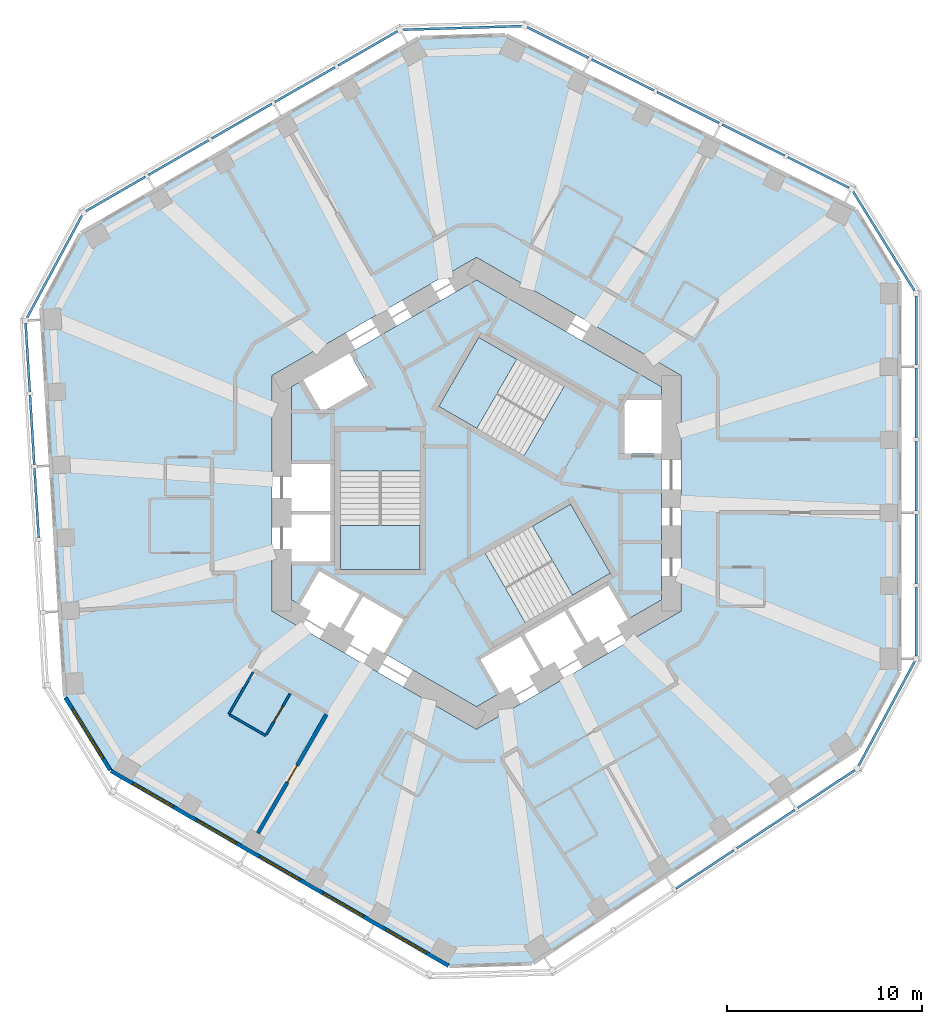
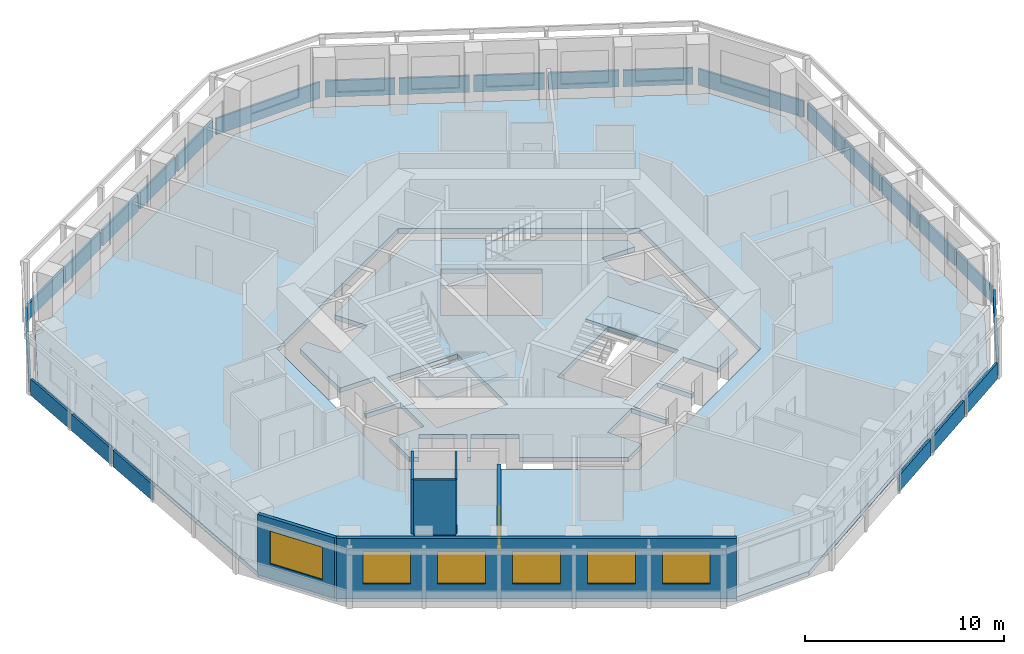
# One storey, part 3 of 11: 25 plates, 6 walls, 6 windows, 5 slabs, 2 doors, 8 openings, 12 elements without a shape of their own.
"""IFC4 building model written with IfcOpenShell, lengths in metres."""

from ifc_helpers import new_model, si_unit, direction, frame, frame_2d, origin, origin_2d, place, context, subcontext, project, spatial, polyline, rectangle, outline, extrude, material, layer, layer_set, type_object, element, fill, aggregate, save


model = new_model("IFC4")

# Units and contexts
model_context = context("Model", 3, precision=1e-05, world=origin(), true_north=direction((0.0, 1.0)))
body_context = subcontext(model_context, "Body", "Model", "MODEL_VIEW")
ifc_project = project(units=[si_unit("LENGTHUNIT", "METRE"), si_unit("AREAUNIT", "SQUARE_METRE"), si_unit("VOLUMEUNIT", "CUBIC_METRE"), si_unit("PLANEANGLEUNIT", "RADIAN"), si_unit("MASSUNIT", "GRAM", prefix="KILO")], contexts=[model_context])

# Site, building, storey
site_placement = place(None, origin())
site = spatial("IfcSite", under=ifc_project, at=site_placement, CompositionType="ELEMENT")
building_placement = place(site_placement, origin())
building = spatial("IfcBuilding", under=site, at=building_placement, Name="Vanh Sen Convention Tower", CompositionType="ELEMENT")
storey_placement = place(building_placement, frame((0.0, 0.0, 202.10009765625)))
storey = spatial("IfcBuildingStorey", under=building, at=storey_placement, Name="L50", CompositionType="ELEMENT", Elevation=202.10009765625)

# Slabs
ifc_material_1 = material(Name="Concrete C40/50", Category="concrete")
ifc_layer_1 = layer(ifc_material_1, 0.280029296875)
ifc_layer_set_1 = layer_set([ifc_layer_1], Name="Concrete C40/50")
slab_type_1 = type_object("IfcSlabType", Name="Core slab 280", PredefinedType="FLOOR", material=ifc_layer_set_1)
slab_1_placement = place(storey_placement, frame((0.0, 0.0, -0.280029296875)))
element("IfcSlab", 1, at=slab_1_placement, inside=storey, type_object=slab_type_1, Name="Core slab L50", PredefinedType="FLOOR", context=body_context, shape_type="SweptSolid", body=[
    extrude(outline(polyline([(0.0, 10.9697265625), (9.5, 5.48486328125), (9.5, 4.800048828125), (7.60009765625, 4.800048828125), (7.60009765625, 2.050048828125), (9.5, 2.050048828125), (9.5, -5.48486328125), (7.781005859375, -6.477294921875), (6.781005859375, -4.7451171875), (4.70263671875, -5.9453125), (5.70263671875, -7.67724609375), (5.529296875, -7.777099609375), (4.529296875, -6.045166015625), (2.450927734375, -7.2451171875), (3.450927734375, -8.977294921875), (3.27783203125, -9.0771484375), (2.27783203125, -7.34521484375), (0.19921875, -8.545166015625), (1.19921875, -10.277099609375), (0.0, -10.9697265625), (-4.75, -8.227294921875), (-3.75, -6.4951171875), (-5.82861328125, -5.295166015625), (-6.82861328125, -7.027099609375), (-7.001708984375, -6.92724609375), (-6.001708984375, -5.1953125), (-8.080078125, -3.9951171875), (-9.080078125, -5.727294921875), (-9.5, -5.48486328125), (-9.5, -3.5), (-7.5, -3.5), (-7.5, -1.10009765625), (-9.5, -1.10009765625), (-9.5, -0.89990234375), (-7.5, -0.89990234375), (-7.5, 1.5), (-9.5, 1.5), (-9.5, 5.48486328125), (-8.906982421875, 5.8271484375), (-7.956787109375, 4.181884765625), (-5.575439453125, 5.556884765625), (-6.525390625, 7.2021484375), (0.0, 10.9697265625)]), holes=[polyline([(-7.0, 1.1494140625), (-7.0, -3.909912109375), (-2.89990234375, -3.909912109375), (-2.89990234375, 1.1494140625), (-7.0, 1.1494140625)]), polyline([(2.504638671875, -6.63671875), (6.88623046875, -4.107177734375), (4.836181640625, -0.556396484375), (0.45458984375, -3.086181640625), (2.504638671875, -6.63671875)]), polyline([(0.11376953125, 8.01708984375), (-1.936279296875, 4.466552734375), (2.4453125, 1.936767578125), (4.495361328125, 5.487548828125), (0.11376953125, 8.01708984375)])]), origin(), (0.0, 0.0, 1.0), 0.280029296875),
])
ifc_layer_2 = layer(ifc_material_1, 0.280029296875)
ifc_layer_set_2 = layer_set([ifc_layer_2], Name="Concrete C40/50")
slab_type_2 = type_object("IfcSlabType", Name="Floor slab 280 REI 120", PredefinedType="FLOOR", material=ifc_layer_set_2)
slab_2_placement = place(storey_placement, frame((0.0, 0.0, -0.280029296875)))
element("IfcSlab", 2, at=slab_2_placement, inside=storey, type_object=slab_type_2, Name="Floor slab L50 tower", PredefinedType="FLOOR", context=body_context, shape_type="SweptSolid", body=[
    extrude(outline(polyline([(21.699951171875, -9.15087890625), (21.699951171875, 10.91943359375), (19.454833984375, 14.5478515625), (1.492919921875, 23.503173828125), (-2.925048828125, 23.368408203125), (-20.306640625, 13.3330078125), (-22.326171875, 9.574462890625), (-21.100830078125, -10.458740234375), (-18.77490234375, -14.21728515625), (-1.393310546875, -24.25244140625), (2.871337890625, -24.122314453125), (19.60791015625, -13.04443359375), (21.699951171875, -9.15087890625)]), holes=[polyline([(0.0, 12.12451171875), (-10.5, 6.062255859375), (-10.5, -6.062255859375), (0.0, -12.12451171875), (10.5, -6.062255859375), (10.5, 6.062255859375), (0.0, 12.12451171875)])]), origin(), (0.0, 0.0, 1.0), 0.280029296875),
])

# Curtain wall, plates
ifc_material_2 = material(Name="Concrete C50/60", Category="concrete")
curtain_wall_type = type_object("IfcCurtainWallType", Name="Outer skin office zone", PredefinedType="NOTDEFINED", material=ifc_material_2)
curtain_wall_1_placement = place(storey_placement, origin())
curtain_wall_1 = element("IfcCurtainWall", 3, at=curtain_wall_1_placement, inside=storey, type_object=curtain_wall_type, Name="OUTER SKIN E L50", PredefinedType="NOTDEFINED")
ifc_layer_3 = layer(ifc_material_2, 0.1201171875)
ifc_layer_set_3 = layer_set([ifc_layer_3], Name="Concrete C50/60")
plate_type = type_object("IfcPlateType", Name="Outer skin precast screen panel 120", PredefinedType="CURTAIN_PANEL", material=ifc_layer_set_3)
plate_1_placement = place(storey_placement, frame((22.60009765625, -6.59912109375, 0.0), z_axis=(0.0, 0.0, 1.0), x_axis=(0.0, 1.0, 0.0)))
plate_1 = element("IfcPlate", 4, at=plate_1_placement, type_object=plate_type, Name="OUTER SKIN screen panel E-1", PredefinedType="CURTAIN_PANEL", context=body_context, shape_type="SweptSolid", body=[
    extrude(rectangle(XDim=3.504150390625, YDim=0.1201171875, at=origin_2d()), origin(), (0.0, 0.0, 1.0), 1.0),
])
plate_2_placement = place(storey_placement, frame((22.60009765625, -2.869873046875, 0.0), z_axis=(0.0, 0.0, 1.0), x_axis=(0.0, 1.0, 0.0)))
plate_2 = element("IfcPlate", 5, at=plate_2_placement, type_object=plate_type, Name="OUTER SKIN screen panel E-2", PredefinedType="CURTAIN_PANEL", context=body_context, shape_type="SweptSolid", body=[
    extrude(rectangle(XDim=3.55419921875, YDim=0.1201171875, at=origin_2d()), origin(), (0.0, 0.0, 1.0), 1.0),
])
plate_3_placement = place(storey_placement, frame((22.60009765625, 0.88427734375, 0.0), z_axis=(0.0, 0.0, 1.0), x_axis=(0.0, 1.0, 0.0)))
plate_3 = element("IfcPlate", 6, at=plate_3_placement, type_object=plate_type, Name="OUTER SKIN screen panel E-3", PredefinedType="CURTAIN_PANEL", context=body_context, shape_type="SweptSolid", body=[
    extrude(rectangle(XDim=3.55419921875, YDim=0.1201171875, at=origin_2d()), origin(), (0.0, 0.0, 1.0), 1.0),
])
plate_4_placement = place(storey_placement, frame((22.60009765625, 4.63818359375, 0.0), z_axis=(0.0, 0.0, 1.0), x_axis=(0.0, 1.0, 0.0)))
plate_4 = element("IfcPlate", 7, at=plate_4_placement, type_object=plate_type, Name="OUTER SKIN screen panel E-4", PredefinedType="CURTAIN_PANEL", context=body_context, shape_type="SweptSolid", body=[
    extrude(rectangle(XDim=3.55419921875, YDim=0.1201171875, at=origin_2d()), origin(), (0.0, 0.0, 1.0), 1.0),
])
plate_5_placement = place(storey_placement, frame((22.60009765625, 8.367431640625, 0.0), z_axis=(0.0, 0.0, 1.0), x_axis=(0.0, 1.0, 0.0)))
plate_5 = element("IfcPlate", 8, at=plate_5_placement, type_object=plate_type, Name="OUTER SKIN screen panel E-5", PredefinedType="CURTAIN_PANEL", context=body_context, shape_type="SweptSolid", body=[
    extrude(rectangle(XDim=3.504150390625, YDim=0.1201171875, at=origin_2d()), origin(), (0.0, 0.0, 1.0), 1.0),
])
aggregate(curtain_wall_1, [plate_1, plate_2, plate_3, plate_4, plate_5])

# Curtain wall, plate
curtain_wall_2_placement = place(storey_placement, origin())
curtain_wall_2 = element("IfcCurtainWall", 9, at=curtain_wall_2_placement, inside=storey, type_object=curtain_wall_type, Name="OUTER SKIN CH1 L50", PredefinedType="NOTDEFINED")
plate_6_placement = place(storey_placement, frame((20.937255859375, 12.956298828125, 0.0), z_axis=(0.0, 0.0, 1.0), x_axis=(-0.5262035346, 0.850358653848, 0.0)))
plate_6 = element("IfcPlate", 10, at=plate_6_placement, type_object=plate_type, Name="OUTER SKIN screen panel CH1-1", PredefinedType="CURTAIN_PANEL", context=body_context, shape_type="SweptSolid", body=[
    extrude(rectangle(XDim=6.01953125, YDim=0.1201171875, at=origin_2d()), origin(), (0.0, 0.0, 1.0), 1.0),
])
aggregate(curtain_wall_2, [plate_6])

# Curtain wall, plates
curtain_wall_3_placement = place(storey_placement, origin())
curtain_wall_3 = element("IfcCurtainWall", 11, at=curtain_wall_3_placement, inside=storey, type_object=curtain_wall_type, Name="OUTER SKIN NE L50", PredefinedType="NOTDEFINED")
plate_7_placement = place(storey_placement, frame((17.572509765625, 16.491943359375, 0.0), z_axis=(0.0, 0.0, 1.0), x_axis=(-0.894943706551, 0.446179069551, 0.0)))
plate_7 = element("IfcPlate", 12, at=plate_7_placement, type_object=plate_type, Name="OUTER SKIN screen panel NE-1", PredefinedType="CURTAIN_PANEL", context=body_context, shape_type="SweptSolid", body=[
    extrude(rectangle(XDim=3.504150390625, YDim=0.1201171875, at=origin_2d()), origin(), (0.0, 0.0, 1.0), 1.0),
])
plate_8_placement = place(storey_placement, frame((14.235107421875, 18.156005859375, 0.0), z_axis=(0.0, 0.0, 1.0), x_axis=(-0.894932804072, 0.446200937017, 0.0)))
plate_8 = element("IfcPlate", 13, at=plate_8_placement, type_object=plate_type, Name="OUTER SKIN screen panel NE-2", PredefinedType="CURTAIN_PANEL", context=body_context, shape_type="SweptSolid", body=[
    extrude(rectangle(XDim=3.55419921875, YDim=0.1201171875, at=origin_2d()), origin(), (0.0, 0.0, 1.0), 1.0),
])
plate_9_placement = place(storey_placement, frame((10.87548828125, 19.8310546875, 0.0), z_axis=(0.0, 0.0, 1.0), x_axis=(-0.894932804072, 0.446200937017, 0.0)))
plate_9 = element("IfcPlate", 14, at=plate_9_placement, type_object=plate_type, Name="OUTER SKIN screen panel NE-3", PredefinedType="CURTAIN_PANEL", context=body_context, shape_type="SweptSolid", body=[
    extrude(rectangle(XDim=3.55419921875, YDim=0.1201171875, at=origin_2d()), origin(), (0.0, 0.0, 1.0), 1.0),
])
plate_10_placement = place(storey_placement, frame((7.515625, 21.506103515625, 0.0), z_axis=(0.0, 0.0, 1.0), x_axis=(-0.894932804072, 0.446200937017, 0.0)))
plate_10 = element("IfcPlate", 15, at=plate_10_placement, type_object=plate_type, Name="OUTER SKIN screen panel NE-4", PredefinedType="CURTAIN_PANEL", context=body_context, shape_type="SweptSolid", body=[
    extrude(rectangle(XDim=3.55419921875, YDim=0.1201171875, at=origin_2d()), origin(), (0.0, 0.0, 1.0), 1.0),
])
plate_11_placement = place(storey_placement, frame((4.178466796875, 23.169921875, 0.0), z_axis=(0.0, 0.0, 1.0), x_axis=(-0.894943706551, 0.446179069551, 0.0)))
plate_11 = element("IfcPlate", 16, at=plate_11_placement, type_object=plate_type, Name="OUTER SKIN screen panel NE-5", PredefinedType="CURTAIN_PANEL", context=body_context, shape_type="SweptSolid", body=[
    extrude(rectangle(XDim=3.504150390625, YDim=0.1201171875, at=origin_2d()), origin(), (0.0, 0.0, 1.0), 1.0),
])
aggregate(curtain_wall_3, [plate_7, plate_8, plate_9, plate_10, plate_11])

# Curtain wall, plate
curtain_wall_4_placement = place(storey_placement, origin())
curtain_wall_4 = element("IfcCurtainWall", 17, at=curtain_wall_4_placement, inside=storey, type_object=curtain_wall_type, Name="OUTER SKIN CH2 L50", PredefinedType="NOTDEFINED")
plate_12_placement = place(storey_placement, frame((-0.73095703125, 23.920654296875, 0.0), z_axis=(0.0, 0.0, 1.0), x_axis=(-0.999533590837, -0.03053851321, 0.0)))
plate_12 = element("IfcPlate", 18, at=plate_12_placement, type_object=plate_type, Name="OUTER SKIN screen panel CH2-1", PredefinedType="CURTAIN_PANEL", context=body_context, shape_type="SweptSolid", body=[
    extrude(rectangle(XDim=6.1171875, YDim=0.1201171875, at=origin_2d()), origin(), (0.0, 0.0, 1.0), 1.0),
])
aggregate(curtain_wall_4, [plate_12])

# Curtain wall, plates
curtain_wall_5_placement = place(storey_placement, origin())
curtain_wall_5 = element("IfcCurtainWall", 19, at=curtain_wall_5_placement, inside=storey, type_object=curtain_wall_type, Name="OUTER SKIN NW L50", PredefinedType="NOTDEFINED")
plate_13_placement = place(storey_placement, frame((-5.585205078125, 22.87158203125, 0.0), z_axis=(0.0, 0.0, 1.0), x_axis=(-0.866035002936, -0.499983373414, 0.0)))
plate_13 = element("IfcPlate", 20, at=plate_13_placement, type_object=plate_type, Name="OUTER SKIN screen panel NW-1", PredefinedType="CURTAIN_PANEL", context=body_context, shape_type="SweptSolid", body=[
    extrude(rectangle(XDim=3.504150390625, YDim=0.1201171875, at=origin_2d()), origin(), (0.0, 0.0, 1.0), 1.0),
])
plate_14_placement = place(storey_placement, frame((-8.814697265625, 21.007080078125, 0.0), z_axis=(0.0, 0.0, 1.0), x_axis=(-0.866016677006, -0.500015114919, 0.0)))
plate_14 = element("IfcPlate", 21, at=plate_14_placement, type_object=plate_type, Name="OUTER SKIN screen panel NW-2", PredefinedType="CURTAIN_PANEL", context=body_context, shape_type="SweptSolid", body=[
    extrude(rectangle(XDim=3.55419921875, YDim=0.1201171875, at=origin_2d()), origin(), (0.0, 0.0, 1.0), 1.0),
])
plate_15_placement = place(storey_placement, frame((-12.06591796875, 19.1298828125, 0.0), z_axis=(0.0, 0.0, 1.0), x_axis=(-0.866035002936, -0.499983373414, 0.0)))
plate_15 = element("IfcPlate", 22, at=plate_15_placement, type_object=plate_type, Name="OUTER SKIN screen panel NW-3", PredefinedType="CURTAIN_PANEL", context=body_context, shape_type="SweptSolid", body=[
    extrude(rectangle(XDim=3.55419921875, YDim=0.1201171875, at=origin_2d()), origin(), (0.0, 0.0, 1.0), 1.0),
])
plate_16_placement = place(storey_placement, frame((-15.31689453125, 17.2529296875, 0.0), z_axis=(0.0, 0.0, 1.0), x_axis=(-0.866016677006, -0.500015114919, 0.0)))
plate_16 = element("IfcPlate", 23, at=plate_16_placement, type_object=plate_type, Name="OUTER SKIN screen panel NW-4", PredefinedType="CURTAIN_PANEL", context=body_context, shape_type="SweptSolid", body=[
    extrude(rectangle(XDim=3.55419921875, YDim=0.1201171875, at=origin_2d()), origin(), (0.0, 0.0, 1.0), 1.0),
])
plate_17_placement = place(storey_placement, frame((-18.54638671875, 15.388427734375, 0.0), z_axis=(0.0, 0.0, 1.0), x_axis=(-0.866035002936, -0.499983373414, 0.0)))
plate_17 = element("IfcPlate", 24, at=plate_17_placement, type_object=plate_type, Name="OUTER SKIN screen panel NW-5", PredefinedType="CURTAIN_PANEL", context=body_context, shape_type="SweptSolid", body=[
    extrude(rectangle(XDim=3.504150390625, YDim=0.1201171875, at=origin_2d()), origin(), (0.0, 0.0, 1.0), 1.0),
])
aggregate(curtain_wall_5, [plate_13, plate_14, plate_15, plate_16, plate_17])

# Curtain wall, plate
curtain_wall_6_placement = place(storey_placement, origin())
curtain_wall_6 = element("IfcCurtainWall", 25, at=curtain_wall_6_placement, inside=storey, type_object=curtain_wall_type, Name="OUTER SKIN CH3 L50", PredefinedType="NOTDEFINED")
plate_18_placement = place(storey_placement, frame((-21.689208984375, 11.654052734375, 0.0), z_axis=(0.0, 0.0, 1.0), x_axis=(-0.47331812974, -0.880891564303, 0.0)))
plate_18 = element("IfcPlate", 26, at=plate_18_placement, type_object=plate_type, Name="OUTER SKIN screen panel CH3-1", PredefinedType="CURTAIN_PANEL", context=body_context, shape_type="SweptSolid", body=[
    extrude(rectangle(XDim=6.019287109375, YDim=0.1201171875, at=origin_2d()), origin(), (0.0, 0.0, 1.0), 1.0),
])
aggregate(curtain_wall_6, [plate_18])

# Curtain wall, plates
curtain_wall_7_placement = place(storey_placement, origin())
curtain_wall_7 = element("IfcCurtainWall", 27, at=curtain_wall_7_placement, inside=storey, type_object=curtain_wall_type, Name="OUTER SKIN W L50", PredefinedType="NOTDEFINED")
plate_19_placement = place(storey_placement, frame((-23.068603515625, 6.97216796875, 0.0), z_axis=(0.0, 0.0, 1.0), x_axis=(0.061053765756, -0.998134478759, 0.0)))
plate_19 = element("IfcPlate", 28, at=plate_19_placement, type_object=plate_type, Name="OUTER SKIN screen panel W-1", PredefinedType="CURTAIN_PANEL", context=body_context, shape_type="SweptSolid", body=[
    extrude(rectangle(XDim=3.504150390625, YDim=0.1201171875, at=origin_2d()), origin(), (0.0, 0.0, 1.0), 1.0),
])
plate_20_placement = place(storey_placement, frame((-22.841064453125, 3.25, 0.0), z_axis=(0.0, 0.0, 1.0), x_axis=(0.061052023682, -0.998134585316, 0.0)))
plate_20 = element("IfcPlate", 29, at=plate_20_placement, type_object=plate_type, Name="OUTER SKIN screen panel W-2", PredefinedType="CURTAIN_PANEL", context=body_context, shape_type="SweptSolid", body=[
    extrude(rectangle(XDim=3.55419921875, YDim=0.1201171875, at=origin_2d()), origin(), (0.0, 0.0, 1.0), 1.0),
])
plate_21_placement = place(storey_placement, frame((-22.61181640625, -0.4970703125, 0.0), z_axis=(0.0, 0.0, 1.0), x_axis=(0.061053765756, -0.998134478759, 0.0)))
plate_21 = element("IfcPlate", 30, at=plate_21_placement, type_object=plate_type, Name="OUTER SKIN screen panel W-3", PredefinedType="CURTAIN_PANEL", context=body_context, shape_type="SweptSolid", body=[
    extrude(rectangle(XDim=3.55419921875, YDim=0.1201171875, at=origin_2d()), origin(), (0.0, 0.0, 1.0), 1.0),
])
aggregate(curtain_wall_7, [plate_19, plate_20, plate_21])

curtain_wall_8_placement = place(storey_placement, origin())
curtain_wall_8 = element("IfcCurtainWall", 31, at=curtain_wall_8_placement, inside=storey, type_object=curtain_wall_type, Name="OUTER SKIN SE L50", PredefinedType="NOTDEFINED")
plate_22_placement = place(storey_placement, frame((11.736328125, -19.333984375, 0.0), z_axis=(0.0, 0.0, 1.0), x_axis=(0.833877152158, 0.551950083892, 0.0)))
plate_22 = element("IfcPlate", 32, at=plate_22_placement, type_object=plate_type, Name="OUTER SKIN screen panel SE-3", PredefinedType="CURTAIN_PANEL", context=body_context, shape_type="SweptSolid", body=[
    extrude(rectangle(XDim=3.55419921875, YDim=0.1201171875, at=origin_2d()), origin(), (0.0, 0.0, 1.0), 1.0),
])
plate_23_placement = place(storey_placement, frame((14.866943359375, -17.26171875, 0.0), z_axis=(0.0, 0.0, 1.0), x_axis=(0.833889675294, 0.551931163677, 0.0)))
plate_23 = element("IfcPlate", 33, at=plate_23_placement, type_object=plate_type, Name="OUTER SKIN screen panel SE-4", PredefinedType="CURTAIN_PANEL", context=body_context, shape_type="SweptSolid", body=[
    extrude(rectangle(XDim=3.55419921875, YDim=0.1201171875, at=origin_2d()), origin(), (0.0, 0.0, 1.0), 1.0),
])
plate_24_placement = place(storey_placement, frame((17.9765625, -15.20361328125, 0.0), z_axis=(0.0, 0.0, 1.0), x_axis=(0.833889675294, 0.551931163677, 0.0)))
plate_24 = element("IfcPlate", 34, at=plate_24_placement, type_object=plate_type, Name="OUTER SKIN screen panel SE-5", PredefinedType="CURTAIN_PANEL", context=body_context, shape_type="SweptSolid", body=[
    extrude(rectangle(XDim=3.504150390625, YDim=0.1201171875, at=origin_2d()), origin(), (0.0, 0.0, 1.0), 1.0),
])
aggregate(curtain_wall_8, [plate_22, plate_23, plate_24])

# Curtain wall, plate
curtain_wall_9_placement = place(storey_placement, origin())
curtain_wall_9 = element("IfcCurtainWall", 35, at=curtain_wall_9_placement, inside=storey, type_object=curtain_wall_type, Name="OUTER SKIN CH6 L50", PredefinedType="NOTDEFINED")
plate_25_placement = place(storey_placement, frame((21.081298828125, -11.327392578125, 0.0), z_axis=(0.0, 0.0, 1.0), x_axis=(0.473321204628, 0.880889912105, 0.0)))
plate_25 = element("IfcPlate", 36, at=plate_25_placement, type_object=plate_type, Name="OUTER SKIN screen panel CH6-1", PredefinedType="CURTAIN_PANEL", context=body_context, shape_type="SweptSolid", body=[
    extrude(rectangle(XDim=6.1171875, YDim=0.1201171875, at=origin_2d()), origin(), (0.0, 0.0, 1.0), 1.0),
])
aggregate(curtain_wall_9, [plate_25])

# Stair, slab
ifc_material_3 = material(Name="Concrete C50/60", Category="concrete")
stair_type_1 = type_object("IfcStairType", Name="Exit stair ST1 22 risers at 168.2", PredefinedType="HALF_TURN_STAIR", material=ifc_material_3)
stair_1_placement = place(storey_placement, origin())
stair_1 = element("IfcStair", 37, at=stair_1_placement, inside=storey, type_object=stair_type_1, Name="Exit stair ST1 L50", PredefinedType="HALF_TURN_STAIR")
ifc_layer_4 = layer(ifc_material_1, 0.199951171875)
ifc_layer_set_4 = layer_set([ifc_layer_4], Name="Concrete C40/50")
slab_type_3 = type_object("IfcSlabType", Name="Stair landing 200", PredefinedType="LANDING", material=ifc_layer_set_4)
slab_3_placement = place(storey_placement, frame((0.0, 0.0, 1.64990234375)))
slab_3 = element("IfcSlab", 38, at=slab_3_placement, type_object=slab_type_3, Name="ST1 landing 1", PredefinedType="LANDING", context=body_context, shape_type="SweptSolid", body=[
    extrude(outline(polyline([(2.07177734375, 6.88671875), (0.11376953125, 8.01708984375), (-1.936279296875, 4.466552734375), (0.021728515625, 3.336181640625), (2.07177734375, 6.88671875)])), origin(), (0.0, 0.0, 1.0), 0.199951171875),
])
aggregate(stair_1, [slab_3])

stair_type_2 = type_object("IfcStairType", Name="Exit stair ST2 22 risers at 168.2", PredefinedType="HALF_TURN_STAIR", material=ifc_material_3)
stair_2_placement = place(storey_placement, origin())
stair_2 = element("IfcStair", 39, at=stair_2_placement, inside=storey, type_object=stair_type_2, Name="Exit stair ST2 L50", PredefinedType="HALF_TURN_STAIR")
slab_4_placement = place(storey_placement, frame((0.0, 0.0, 1.64990234375)))
slab_4 = element("IfcSlab", 40, at=slab_4_placement, type_object=slab_type_3, Name="ST2 landing 1", PredefinedType="LANDING", context=body_context, shape_type="SweptSolid", body=[
    extrude(outline(polyline([(-7.0, -1.6494140625), (-7.0, -3.909912109375), (-2.89990234375, -3.909912109375), (-2.89990234375, -1.6494140625), (-7.0, -1.6494140625)])), origin(), (0.0, 0.0, 1.0), 0.199951171875),
])
aggregate(stair_2, [slab_4])

stair_type_3 = type_object("IfcStairType", Name="Exit stair ST3 22 risers at 168.2", PredefinedType="HALF_TURN_STAIR", material=ifc_material_3)
stair_3_placement = place(storey_placement, origin())
stair_3 = element("IfcStair", 41, at=stair_3_placement, inside=storey, type_object=stair_type_3, Name="Exit stair ST3 L50", PredefinedType="HALF_TURN_STAIR")
slab_5_placement = place(storey_placement, frame((0.0, 0.0, 1.64990234375)))
slab_5 = element("IfcSlab", 42, at=slab_5_placement, type_object=slab_type_3, Name="ST3 landing 1", PredefinedType="LANDING", context=body_context, shape_type="SweptSolid", body=[
    extrude(outline(polyline([(4.92822265625, -5.237548828125), (6.88623046875, -4.107177734375), (4.836181640625, -0.556396484375), (2.87841796875, -1.686767578125), (4.92822265625, -5.237548828125)])), origin(), (0.0, 0.0, 1.0), 0.199951171875),
])
aggregate(stair_3, [slab_5])

# Walls
ifc_material_4 = material(Name="Moisture-resistant gypsum board on steel studs", Category="steel")
ifc_layer_5 = layer(ifc_material_4, 0.1201171875)
ifc_layer_set_5 = layer_set([ifc_layer_5], Name="Moisture-resistant gypsum board on steel studs")
wall_type_1 = type_object("IfcWallType", Name="Bathroom partition 120", PredefinedType="PARTITIONING", material=ifc_layer_set_5)
wall_1_placement = place(storey_placement, frame((-12.734619140625, -11.35498046875, 0.0), z_axis=(0.0, 0.0, 1.0), x_axis=(0.500004234368, 0.866022959057, 0.0)))
element("IfcWall", 43, at=wall_1_placement, inside=storey, type_object=wall_type_1, Name="Bathroom partition 120", PredefinedType="PARTITIONING", context=body_context, shape_type="SweptSolid", body=[
    extrude(rectangle(XDim=2.5, YDim=0.1201171875, at=frame_2d((1.25, 0.0))), origin(), (0.0, 0.0, 1.0), 3.349853515625),
])
wall_2_placement = place(storey_placement, frame((-10.829345703125, -12.455078125, 0.0), z_axis=(0.0, 0.0, 1.0), x_axis=(-0.86600889856, 0.500028586798, 0.0)))
element("IfcWall", 44, at=wall_2_placement, inside=storey, type_object=wall_type_1, Name="Bathroom partition 120", PredefinedType="PARTITIONING", context=body_context, shape_type="SweptSolid", body=[
    extrude(rectangle(XDim=2.139892578125, YDim=0.1201171875, at=frame_2d((1.06982421875, 0.0))), origin(), (0.0, 0.0, 1.0), 3.349853515625),
])

# Wall, opening, door
wall_3_placement = place(storey_placement, frame((-9.579345703125, -10.289794921875, 0.0), z_axis=(0.0, 0.0, 1.0), x_axis=(-0.499959183527, -0.866048967903, 0.0)))
wall_3 = element("IfcWall", 45, at=wall_3_placement, inside=storey, type_object=wall_type_1, Name="Bathroom partition 120", PredefinedType="PARTITIONING", context=body_context, shape_type="SweptSolid", body=[
    extrude(rectangle(XDim=2.440185546875, YDim=0.1201171875, at=frame_2d((1.22021484375, 0.0))), origin(), (0.0, 0.0, 1.0), 3.349853515625),
])
opening_1_placement = place(wall_3_placement, frame((0.77001953125, 0.0, 0.0)))
opening_1 = element("IfcOpeningElement", 46, at=opening_1_placement, cuts=wall_3, Name="Opening D49111", PredefinedType="OPENING", context=body_context, shape_type="SweptSolid", body=[
    extrude(rectangle(XDim=0.89990234375, YDim=2.10009765625, at=frame_2d((0.449951171875, 1.050048828125))), frame((0.0, 0.070068359375, 0.0), z_axis=(0.0, -1.0, 0.0), x_axis=(1.0, 0.0, 0.0)), (0.0, 0.0, 1.0), 0.14013671875),
])
ifc_material_5 = material(Name="Laminate door in steel frame", Category="steel")
door_type_1 = type_object("IfcDoorType", Name="Room internal door 900", OperationType="SINGLE_SWING_LEFT", PredefinedType="DOOR", material=ifc_material_5)
door_1_placement = place(opening_1_placement, origin())
door_1 = element("IfcDoor", 47, at=door_1_placement, inside=storey, type_object=door_type_1, Name="Internal room door D49111", OperationType="SINGLE_SWING_LEFT", OverallHeight=2.10009765625, OverallWidth=0.89990234375, PredefinedType="DOOR", context=body_context, shape_type="SweptSolid", body=[
    extrude(rectangle(XDim=0.89990234375, YDim=2.10009765625, at=frame_2d((0.449951171875, 1.050048828125))), frame((0.0, 0.02490234375, 0.0), z_axis=(0.0, -1.0, 0.0), x_axis=(1.0, 0.0, 0.0)), (0.0, 0.0, 1.0), 0.050048828125),
])
fill(opening_1, door_1)

ifc_material_6 = material(Name="Gypsum board on steel studs with mineral wool", Category="steel")
ifc_layer_6 = layer(ifc_material_6, 0.199951171875)
ifc_layer_set_6 = layer_set([ifc_layer_6], Name="Gypsum board on steel studs with mineral wool")
wall_type_2 = type_object("IfcWallType", Name="Corridor partition wall 200", PredefinedType="PARTITIONING", material=ifc_layer_set_6)
wall_4_placement = place(storey_placement, frame((-11.23486328125, -17.4736328125, 0.0), z_axis=(0.0, 0.0, 1.0), x_axis=(0.500009260695, 0.866020057054, 0.0)))
wall_4 = element("IfcWall", 48, at=wall_4_placement, inside=storey, type_object=wall_type_2, Name="Corridor partition wall 200", PredefinedType="PARTITIONING", context=body_context, shape_type="SweptSolid", body=[
    extrude(rectangle(XDim=7.049072265625, YDim=0.199951171875, at=frame_2d((3.5244140625, 0.0))), origin(), (0.0, 0.0, 1.0), 2.5498046875),
])
opening_2_placement = place(wall_4_placement, frame((3.0244140625, 0.0, 0.0)))
opening_2 = element("IfcOpeningElement", 49, at=opening_2_placement, cuts=wall_4, Name="Opening D49110", PredefinedType="OPENING", context=body_context, shape_type="SweptSolid", body=[
    extrude(rectangle(XDim=1.0, YDim=2.10009765625, at=frame_2d((0.5, 1.050048828125))), frame((0.0, 0.10986328125, 0.0), z_axis=(0.0, -1.0, 0.0), x_axis=(1.0, 0.0, 0.0)), (0.0, 0.0, 1.0), 0.219970703125),
])
ifc_material_7 = material(Name="Glazed fire door in steel frame", Category="steel")
door_type_2 = type_object("IfcDoorType", Name="Tenant entrance door 1000", OperationType="SINGLE_SWING_LEFT", PredefinedType="DOOR", material=ifc_material_7)
door_2_placement = place(opening_2_placement, origin())
door_2 = element("IfcDoor", 50, at=door_2_placement, inside=storey, type_object=door_type_2, Name="Tenant suite entrance door D49110", OperationType="SINGLE_SWING_LEFT", OverallHeight=2.10009765625, OverallWidth=1.0, PredefinedType="DOOR", context=body_context, shape_type="SweptSolid", body=[
    extrude(rectangle(XDim=1.0, YDim=2.10009765625, at=frame_2d((0.5, 1.050048828125))), frame((0.0, 0.02490234375, 0.0), z_axis=(0.0, -1.0, 0.0), x_axis=(1.0, 0.0, 0.0)), (0.0, 0.0, 1.0), 0.050048828125),
])
fill(opening_2, door_2)

# Wall, opening, window
ifc_material_8 = material(Name="Insulated lightweight infill wall")
ifc_layer_7 = layer(ifc_material_8, 0.199951171875)
ifc_layer_set_7 = layer_set([ifc_layer_7], Name="Insulated lightweight infill wall")
wall_type_3 = type_object("IfcWallType", Name="External wall 200", PredefinedType="STANDARD", material=ifc_layer_set_7)
wall_5_placement = place(storey_placement, frame((-21.13671875, -10.49560546875, 0.0), z_axis=(0.0, 0.0, 1.0), x_axis=(0.526178661629, -0.850374044786, 0.0)))
wall_5 = element("IfcWall", 51, at=wall_5_placement, inside=storey, type_object=wall_type_3, Name="External wall CH4 L50", PredefinedType="STANDARD", context=body_context, shape_type="SweptSolid", body=[
    extrude(rectangle(XDim=4.394775390625, YDim=0.199951171875, at=frame_2d((2.197265625, 0.0))), origin(), (0.0, 0.0, 1.0), 3.699951171875),
])
opening_3_placement = place(wall_5_placement, frame((0.697509765625, 0.0, 0.89990234375)))
opening_3 = element("IfcOpeningElement", 52, at=opening_3_placement, cuts=wall_5, Name="Opening WO2-CH41", PredefinedType="OPENING", context=body_context, shape_type="SweptSolid", body=[
    extrude(rectangle(XDim=3.0, YDim=2.0, at=frame_2d((1.5, 1.0))), frame((0.0, 0.10986328125, 0.0), z_axis=(0.0, -1.0, 0.0), x_axis=(1.0, 0.0, 0.0)), (0.0, 0.0, 1.0), 0.219970703125),
])
ifc_material_9 = material(Name="Aluminium frame with clear low-emissivity glass", Category="aluminium")
window_type_1 = type_object("IfcWindowType", Name="Office window 3000 x 2000", PartitioningType="SINGLE_PANEL", PredefinedType="WINDOW", material=ifc_material_9)
window_1_placement = place(opening_3_placement, origin())
window_1 = element("IfcWindow", 53, at=window_1_placement, inside=storey, type_object=window_type_1, Name="Window WO2-CH41", OverallHeight=2.0, OverallWidth=3.0, PartitioningType="SINGLE_PANEL", PredefinedType="WINDOW", context=body_context, shape_type="SweptSolid", body=[
    extrude(rectangle(XDim=3.0, YDim=2.0, at=frame_2d((1.5, 1.0))), frame((0.0, 0.030029296875, 0.0), z_axis=(0.0, -1.0, 0.0), x_axis=(1.0, 0.0, 0.0)), (0.0, 0.0, 1.0), 0.06005859375),
])
fill(opening_3, window_1)

# Wall, openings, windows
wall_6_placement = place(storey_placement, frame((-18.7890625, -14.266845703125, 0.0), z_axis=(0.0, 0.0, 1.0), x_axis=(0.866023315909, -0.500003616288, 0.0)))
wall_6 = element("IfcWall", 54, at=wall_6_placement, inside=storey, type_object=wall_type_3, Name="External wall SW L50", PredefinedType="STANDARD", context=body_context, shape_type="SweptSolid", body=[
    extrude(rectangle(XDim=20.043701171875, YDim=0.199951171875, at=frame_2d((10.02197265625, 0.0))), origin(), (0.0, 0.0, 1.0), 3.699951171875),
])
opening_4_placement = place(wall_6_placement, frame((1.314453125, 0.0, 0.89990234375)))
opening_4 = element("IfcOpeningElement", 55, at=opening_4_placement, cuts=wall_6, Name="Opening WO1-SW1", PredefinedType="OPENING", context=body_context, shape_type="SweptSolid", body=[
    extrude(rectangle(XDim=2.39990234375, YDim=2.0, at=frame_2d((1.199951171875, 1.0))), frame((0.0, 0.10986328125, 0.0), z_axis=(0.0, -1.0, 0.0), x_axis=(1.0, 0.0, 0.0)), (0.0, 0.0, 1.0), 0.219970703125),
])
opening_5_placement = place(wall_6_placement, frame((5.068603515625, 0.0, 0.89990234375)))
opening_5 = element("IfcOpeningElement", 56, at=opening_5_placement, cuts=wall_6, Name="Opening WO1-SW2", PredefinedType="OPENING", context=body_context, shape_type="SweptSolid", body=[
    extrude(rectangle(XDim=2.39990234375, YDim=2.0, at=frame_2d((1.199951171875, 1.0))), frame((0.0, 0.10986328125, 0.0), z_axis=(0.0, -1.0, 0.0), x_axis=(1.0, 0.0, 0.0)), (0.0, 0.0, 1.0), 0.219970703125),
])
opening_6_placement = place(wall_6_placement, frame((8.82275390625, 0.0, 0.89990234375)))
opening_6 = element("IfcOpeningElement", 57, at=opening_6_placement, cuts=wall_6, Name="Opening WO1-SW3", PredefinedType="OPENING", context=body_context, shape_type="SweptSolid", body=[
    extrude(rectangle(XDim=2.39990234375, YDim=2.0, at=frame_2d((1.199951171875, 1.0))), frame((0.0, 0.10986328125, 0.0), z_axis=(0.0, -1.0, 0.0), x_axis=(1.0, 0.0, 0.0)), (0.0, 0.0, 1.0), 0.219970703125),
])
opening_7_placement = place(wall_6_placement, frame((12.576904296875, 0.0, 0.89990234375)))
opening_7 = element("IfcOpeningElement", 58, at=opening_7_placement, cuts=wall_6, Name="Opening WO1-SW4", PredefinedType="OPENING", context=body_context, shape_type="SweptSolid", body=[
    extrude(rectangle(XDim=2.39990234375, YDim=2.0, at=frame_2d((1.199951171875, 1.0))), frame((0.0, 0.10986328125, 0.0), z_axis=(0.0, -1.0, 0.0), x_axis=(1.0, 0.0, 0.0)), (0.0, 0.0, 1.0), 0.219970703125),
])
opening_8_placement = place(wall_6_placement, frame((16.330810546875, 0.0, 0.89990234375)))
opening_8 = element("IfcOpeningElement", 59, at=opening_8_placement, cuts=wall_6, Name="Opening WO1-SW5", PredefinedType="OPENING", context=body_context, shape_type="SweptSolid", body=[
    extrude(rectangle(XDim=2.39990234375, YDim=2.0, at=frame_2d((1.199951171875, 1.0))), frame((0.0, 0.10986328125, 0.0), z_axis=(0.0, -1.0, 0.0), x_axis=(1.0, 0.0, 0.0)), (0.0, 0.0, 1.0), 0.219970703125),
])
window_type_2 = type_object("IfcWindowType", Name="Office window 2400 x 2000", PartitioningType="SINGLE_PANEL", PredefinedType="WINDOW", material=ifc_material_9)
window_2_placement = place(opening_4_placement, origin())
window_2 = element("IfcWindow", 60, at=window_2_placement, inside=storey, type_object=window_type_2, Name="Window WO1-SW1", OverallHeight=2.0, OverallWidth=2.39990234375, PartitioningType="SINGLE_PANEL", PredefinedType="WINDOW", context=body_context, shape_type="SweptSolid", body=[
    extrude(rectangle(XDim=2.39990234375, YDim=2.0, at=frame_2d((1.199951171875, 1.0))), frame((0.0, 0.030029296875, 0.0), z_axis=(0.0, -1.0, 0.0), x_axis=(1.0, 0.0, 0.0)), (0.0, 0.0, 1.0), 0.06005859375),
])
fill(opening_4, window_2)
window_3_placement = place(opening_5_placement, origin())
window_3 = element("IfcWindow", 61, at=window_3_placement, inside=storey, type_object=window_type_2, Name="Window WO1-SW2", OverallHeight=2.0, OverallWidth=2.39990234375, PartitioningType="SINGLE_PANEL", PredefinedType="WINDOW", context=body_context, shape_type="SweptSolid", body=[
    extrude(rectangle(XDim=2.39990234375, YDim=2.0, at=frame_2d((1.199951171875, 1.0))), frame((0.0, 0.030029296875, 0.0), z_axis=(0.0, -1.0, 0.0), x_axis=(1.0, 0.0, 0.0)), (0.0, 0.0, 1.0), 0.06005859375),
])
fill(opening_5, window_3)
window_4_placement = place(opening_6_placement, origin())
window_4 = element("IfcWindow", 62, at=window_4_placement, inside=storey, type_object=window_type_2, Name="Window WO1-SW3", OverallHeight=2.0, OverallWidth=2.39990234375, PartitioningType="SINGLE_PANEL", PredefinedType="WINDOW", context=body_context, shape_type="SweptSolid", body=[
    extrude(rectangle(XDim=2.39990234375, YDim=2.0, at=frame_2d((1.199951171875, 1.0))), frame((0.0, 0.030029296875, 0.0), z_axis=(0.0, -1.0, 0.0), x_axis=(1.0, 0.0, 0.0)), (0.0, 0.0, 1.0), 0.06005859375),
])
fill(opening_6, window_4)
window_5_placement = place(opening_7_placement, origin())
window_5 = element("IfcWindow", 63, at=window_5_placement, inside=storey, type_object=window_type_2, Name="Window WO1-SW4", OverallHeight=2.0, OverallWidth=2.39990234375, PartitioningType="SINGLE_PANEL", PredefinedType="WINDOW", context=body_context, shape_type="SweptSolid", body=[
    extrude(rectangle(XDim=2.39990234375, YDim=2.0, at=frame_2d((1.199951171875, 1.0))), frame((0.0, 0.030029296875, 0.0), z_axis=(0.0, -1.0, 0.0), x_axis=(1.0, 0.0, 0.0)), (0.0, 0.0, 1.0), 0.06005859375),
])
fill(opening_7, window_5)
window_6_placement = place(opening_8_placement, origin())
window_6 = element("IfcWindow", 64, at=window_6_placement, inside=storey, type_object=window_type_2, Name="Window WO1-SW5", OverallHeight=2.0, OverallWidth=2.39990234375, PartitioningType="SINGLE_PANEL", PredefinedType="WINDOW", context=body_context, shape_type="SweptSolid", body=[
    extrude(rectangle(XDim=2.39990234375, YDim=2.0, at=frame_2d((1.199951171875, 1.0))), frame((0.0, 0.030029296875, 0.0), z_axis=(0.0, -1.0, 0.0), x_axis=(1.0, 0.0, 0.0)), (0.0, 0.0, 1.0), 0.06005859375),
])
fill(opening_8, window_6)

save(model, "model.ifc")
